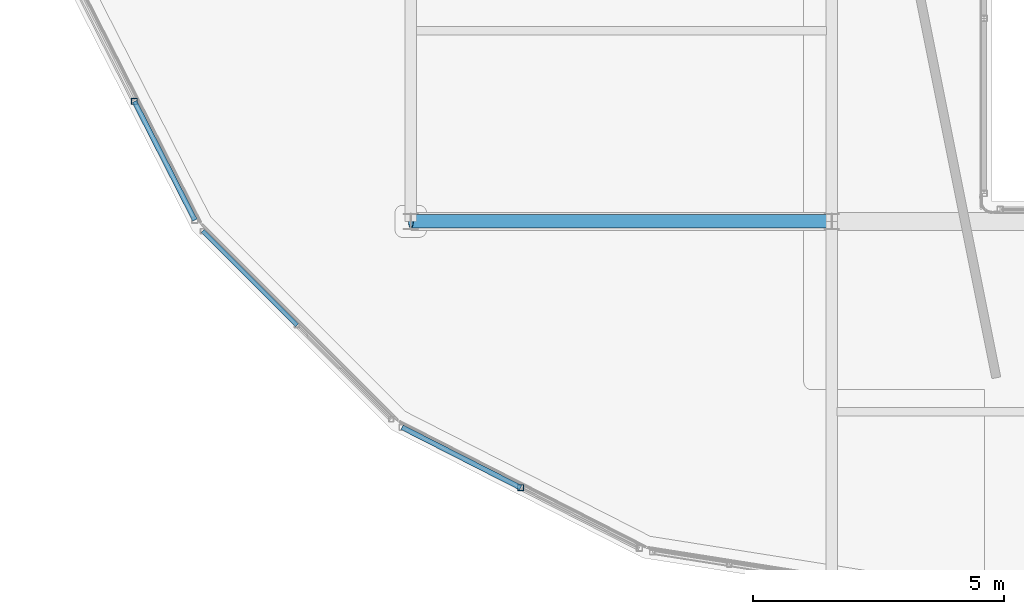
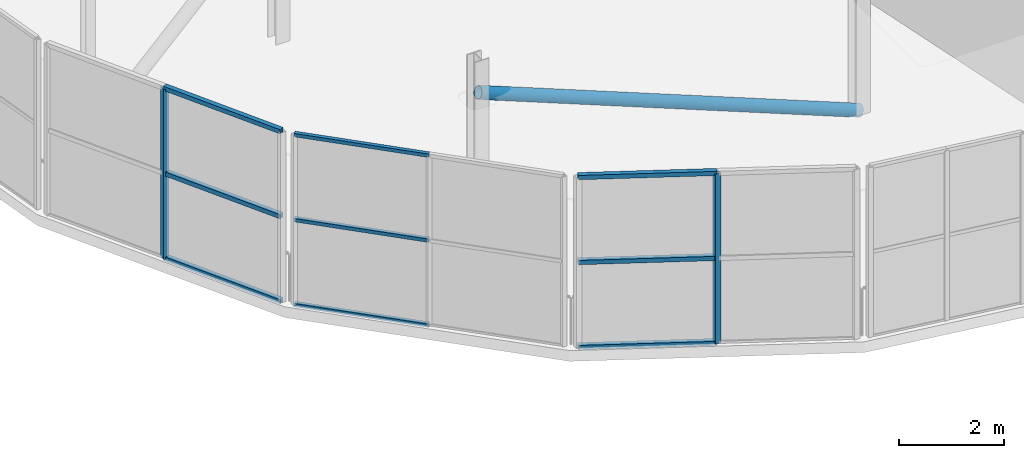
# One storey, part 15 of 151: 12 members, 3 elements without a shape of their own.
"""IFC4 building model written with IfcOpenShell, lengths in metres."""

from ifc_helpers import new_model, si_unit, direction, frame, origin, origin_2d, place, context, subcontext, project, spatial, hollow_rectangle, hollow_circle, extrude, material, material_profile, profile_set, type_object, element, aggregate, save


model = new_model("IFC4")

# Units and contexts
model_context = context("Model", 3, precision=1e-05, world=origin(), true_north=direction((0.0, 1.0)))
body_context = subcontext(model_context, "Body", "Model", "MODEL_VIEW")
ifc_project = project(units=[si_unit("LENGTHUNIT", "METRE"), si_unit("AREAUNIT", "SQUARE_METRE"), si_unit("VOLUMEUNIT", "CUBIC_METRE"), si_unit("PLANEANGLEUNIT", "RADIAN"), si_unit("MASSUNIT", "GRAM", prefix="KILO")], contexts=[model_context])

# Site, building, storey
site_placement = place(None, origin())
site = spatial("IfcSite", under=ifc_project, at=site_placement, CompositionType="ELEMENT")
building_placement = place(site_placement, origin())
building = spatial("IfcBuilding", under=site, at=building_placement, Name="Zuvorla Pavilion Media Centre", CompositionType="ELEMENT")
storey_placement = place(building_placement, frame((0.0, 0.0, 13.800048828125)))
storey = spatial("IfcBuildingStorey", under=building, at=storey_placement, Name="L03", CompositionType="ELEMENT", Elevation=13.800048828125)

# Curtain wall, member
ifc_material_1 = material(Name="Unitised anodised aluminium and solar glass curtain wall", Category="aluminium")
curtain_wall_type_1 = type_object("IfcCurtainWallType", Name="CW-SYS-03", PredefinedType="USERDEFINED", material=ifc_material_1)
curtain_wall_1_placement = place(storey_placement, origin())
curtain_wall_1 = element("IfcCurtainWall", 1, at=curtain_wall_1_placement, inside=storey, type_object=curtain_wall_type_1, Name="L03 curtain wall CW03 128", ObjectType="CURTAIN WALL", PredefinedType="USERDEFINED")
ifc_material_2 = material(Name="Anodised aluminium 6063-T6", Category="aluminium")
ifc_material_profile_1 = material_profile(ifc_material_2, hollow_rectangle(XDim=0.1201171875, YDim=0.1201171875, WallThickness=0.0048828125, at=origin_2d()), Name="ALU MULL 120x120")
ifc_profile_set_1 = profile_set([ifc_material_profile_1], Name="Anodised aluminium 6063-T6")
member_type_1 = type_object("IfcMemberType", Name="CW-MULL-120", PredefinedType="MULLION", material=ifc_profile_set_1)
member_1_placement = place(storey_placement, frame((10.884033203125, 53.992431640625, 0.0), z_axis=(0.0, 0.0, 1.0), x_axis=(1.0, 0.0, 0.0)))
member_1 = element("IfcMember", 2, at=member_1_placement, type_object=member_type_1, Name="CW03 mullion 2", PredefinedType="MULLION", context=body_context, shape_type="SweptSolid", body=[
    extrude(hollow_rectangle(XDim=0.1201171875, YDim=0.1201171875, WallThickness=0.0048828125, at=origin_2d()), origin(), (0.0, 0.0, 1.0), 3.9599609375),
])

curtain_wall_type_2 = type_object("IfcCurtainWallType", Name="CW-SYS-02", PredefinedType="USERDEFINED", material=ifc_material_1)
curtain_wall_2_placement = place(storey_placement, origin())
curtain_wall_2 = element("IfcCurtainWall", 3, at=curtain_wall_2_placement, inside=storey, type_object=curtain_wall_type_2, Name="L03 curtain wall CW02 130", ObjectType="CURTAIN WALL", PredefinedType="USERDEFINED")
member_2_placement = place(storey_placement, frame((18.59228515625, 46.2841796875, 0.0), z_axis=(0.0, 0.0, 1.0), x_axis=(1.0, 0.0, 0.0)))
member_2 = element("IfcMember", 4, at=member_2_placement, type_object=member_type_1, Name="CW02 mullion 2", PredefinedType="MULLION", context=body_context, shape_type="SweptSolid", body=[
    extrude(hollow_rectangle(XDim=0.1201171875, YDim=0.1201171875, WallThickness=0.0048828125, at=origin_2d()), origin(), (0.0, 0.0, 1.0), 3.9599609375),
])

# Member
ifc_material_profile_2 = material_profile(ifc_material_2, hollow_rectangle(XDim=0.10009765625, YDim=0.10009765625, WallThickness=0.00439453125, at=origin_2d()), Name="ALU TRAN 100x100")
ifc_profile_set_2 = profile_set([ifc_material_profile_2], Name="Anodised aluminium 6063-T6")
member_type_2 = type_object("IfcMemberType", Name="CW-TRAN-100", PredefinedType="USERDEFINED", material=ifc_profile_set_2)
member_3_placement = place(storey_placement, frame((10.884033203125, 53.992431640625, 0.0), z_axis=(0.454002892375, -0.891000209717, 0.0), x_axis=(0.891000209717, 0.454002892375, 0.0)))
member_3 = element("IfcMember", 5, at=member_3_placement, type_object=member_type_2, Name="CW03 transom 2.1", ObjectType="TRANSOM", PredefinedType="USERDEFINED", context=body_context, shape_type="SweptSolid", body=[
    extrude(hollow_rectangle(XDim=0.10009765625, YDim=0.10009765625, WallThickness=0.00439453125, at=origin_2d()), origin(), (0.0, 0.0, 1.0), 2.656005859375),
])

member_4_placement = place(storey_placement, frame((10.884033203125, 53.992431640625, 1.97998046875), z_axis=(0.454002892375, -0.891000209717, 0.0), x_axis=(0.891000209717, 0.454002892375, 0.0)))
member_4 = element("IfcMember", 6, at=member_4_placement, type_object=member_type_2, Name="CW03 transom 2.2", ObjectType="TRANSOM", PredefinedType="USERDEFINED", context=body_context, shape_type="SweptSolid", body=[
    extrude(hollow_rectangle(XDim=0.10009765625, YDim=0.10009765625, WallThickness=0.00439453125, at=origin_2d()), origin(), (0.0, 0.0, 1.0), 2.656005859375),
])

member_5_placement = place(storey_placement, frame((10.884033203125, 53.992431640625, 3.9599609375), z_axis=(0.454002892375, -0.891000209717, 0.0), x_axis=(0.891000209717, 0.454002892375, 0.0)))
member_5 = element("IfcMember", 7, at=member_5_placement, type_object=member_type_2, Name="CW03 transom 2.3", ObjectType="TRANSOM", PredefinedType="USERDEFINED", context=body_context, shape_type="SweptSolid", body=[
    extrude(hollow_rectangle(XDim=0.10009765625, YDim=0.10009765625, WallThickness=0.00439453125, at=origin_2d()), origin(), (0.0, 0.0, 1.0), 2.656005859375),
])

aggregate(curtain_wall_1, [member_1, member_3, member_4, member_5])

member_6_placement = place(storey_placement, frame((16.22607421875, 47.48974609375, 0.0), z_axis=(0.891018448403, -0.45396709639, 0.0), x_axis=(0.45396709639, 0.891018448403, 0.0)))
member_6 = element("IfcMember", 8, at=member_6_placement, type_object=member_type_2, Name="CW02 transom 1.1", ObjectType="TRANSOM", PredefinedType="USERDEFINED", context=body_context, shape_type="SweptSolid", body=[
    extrude(hollow_rectangle(XDim=0.10009765625, YDim=0.10009765625, WallThickness=0.00439453125, at=origin_2d()), origin(), (0.0, 0.0, 1.0), 2.655517578125),
])

member_7_placement = place(storey_placement, frame((16.22607421875, 47.48974609375, 1.97998046875), z_axis=(0.891018448403, -0.45396709639, 0.0), x_axis=(0.45396709639, 0.891018448403, 0.0)))
member_7 = element("IfcMember", 9, at=member_7_placement, type_object=member_type_2, Name="CW02 transom 1.2", ObjectType="TRANSOM", PredefinedType="USERDEFINED", context=body_context, shape_type="SweptSolid", body=[
    extrude(hollow_rectangle(XDim=0.10009765625, YDim=0.10009765625, WallThickness=0.00439453125, at=origin_2d()), origin(), (0.0, 0.0, 1.0), 2.655517578125),
])

member_8_placement = place(storey_placement, frame((16.22607421875, 47.48974609375, 3.9599609375), z_axis=(0.891018448403, -0.45396709639, 0.0), x_axis=(0.45396709639, 0.891018448403, 0.0)))
member_8 = element("IfcMember", 10, at=member_8_placement, type_object=member_type_2, Name="CW02 transom 1.3", ObjectType="TRANSOM", PredefinedType="USERDEFINED", context=body_context, shape_type="SweptSolid", body=[
    extrude(hollow_rectangle(XDim=0.10009765625, YDim=0.10009765625, WallThickness=0.00439453125, at=origin_2d()), origin(), (0.0, 0.0, 1.0), 2.655517578125),
])

aggregate(curtain_wall_2, [member_2, member_6, member_7, member_8])

# Curtain wall, members
curtain_wall_type_3 = type_object("IfcCurtainWallType", Name="CW-SYS-04", PredefinedType="USERDEFINED", material=ifc_material_1)
curtain_wall_3_placement = place(storey_placement, origin())
curtain_wall_3 = element("IfcCurtainWall", 11, at=curtain_wall_3_placement, inside=storey, type_object=curtain_wall_type_3, Name="L03 curtain wall CW04 129", ObjectType="CURTAIN WALL", PredefinedType="USERDEFINED")
ifc_material_profile_3 = material_profile(ifc_material_2, hollow_rectangle(XDim=0.080078125, YDim=0.080078125, WallThickness=0.00390625, at=origin_2d()), Name="ALU TRAN 80x80")
ifc_profile_set_3 = profile_set([ifc_material_profile_3], Name="Anodised aluminium 6063-T6")
member_type_3 = type_object("IfcMemberType", Name="CW-TRAN-80", PredefinedType="USERDEFINED", material=ifc_profile_set_3)
member_9_placement = place(storey_placement, frame((12.249755859375, 51.40576171875, 0.0), z_axis=(0.707106781187, -0.707106781187, 0.0), x_axis=(0.707106781187, 0.707106781187, 0.0)))
member_9 = element("IfcMember", 12, at=member_9_placement, type_object=member_type_3, Name="CW04 transom 1.1", ObjectType="TRANSOM", PredefinedType="USERDEFINED", context=body_context, shape_type="SweptSolid", body=[
    extrude(hollow_rectangle(XDim=0.080078125, YDim=0.080078125, WallThickness=0.00390625, at=origin_2d()), origin(), (0.0, 0.0, 1.0), 2.65576171875),
])
member_10_placement = place(storey_placement, frame((12.249755859375, 51.40576171875, 1.97998046875), z_axis=(0.707106781187, -0.707106781187, 0.0), x_axis=(0.707106781187, 0.707106781187, 0.0)))
member_10 = element("IfcMember", 13, at=member_10_placement, type_object=member_type_3, Name="CW04 transom 1.2", ObjectType="TRANSOM", PredefinedType="USERDEFINED", context=body_context, shape_type="SweptSolid", body=[
    extrude(hollow_rectangle(XDim=0.080078125, YDim=0.080078125, WallThickness=0.00390625, at=origin_2d()), origin(), (0.0, 0.0, 1.0), 2.65576171875),
])
member_11_placement = place(storey_placement, frame((12.249755859375, 51.40576171875, 3.9599609375), z_axis=(0.707106781187, -0.707106781187, 0.0), x_axis=(0.707106781187, 0.707106781187, 0.0)))
member_11 = element("IfcMember", 14, at=member_11_placement, type_object=member_type_3, Name="CW04 transom 1.3", ObjectType="TRANSOM", PredefinedType="USERDEFINED", context=body_context, shape_type="SweptSolid", body=[
    extrude(hollow_rectangle(XDim=0.080078125, YDim=0.080078125, WallThickness=0.00390625, at=origin_2d()), origin(), (0.0, 0.0, 1.0), 2.65576171875),
])
aggregate(curtain_wall_3, [member_9, member_10, member_11])

# Member
ifc_material_3 = material(Name="Steel S355", Category="steel")
ifc_material_profile_4 = material_profile(ifc_material_3, hollow_circle(Radius=0.136474609375, WallThickness=0.012451171875, at=origin_2d()), Name="CHS 273x12.5")
ifc_profile_set_4 = profile_set([ifc_material_profile_4], Name="Steel S355")
member_type_4 = type_object("IfcMemberType", Name="MEM-BRC-CHS273", PredefinedType="BRACE", material=ifc_profile_set_4)
member_12_placement = place(storey_placement, frame((24.800048828125, 51.60009765625, 0.0), z_axis=(-0.928484134927, 0.0, 0.371372065709), x_axis=(0.0, -1.0, 0.0)))
element("IfcMember", 15, at=member_12_placement, inside=storey, type_object=member_type_4, Name="L03 diagonal brace TB01 29", PredefinedType="BRACE", context=body_context, shape_type="SweptSolid", body=[
    extrude(hollow_circle(Radius=0.136474609375, WallThickness=0.012451171875, at=origin_2d()), origin(), (0.0, 0.0, 1.0), 9.047119140625),
])

save(model, "model.ifc")
